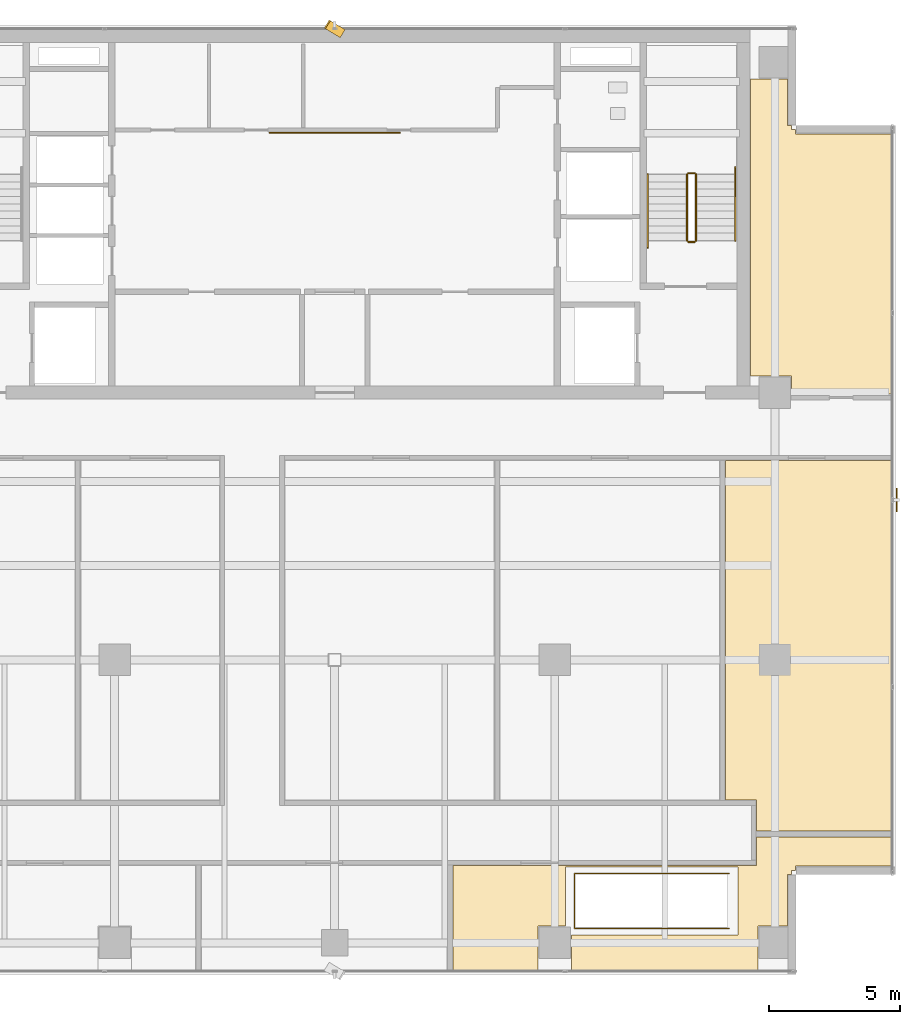
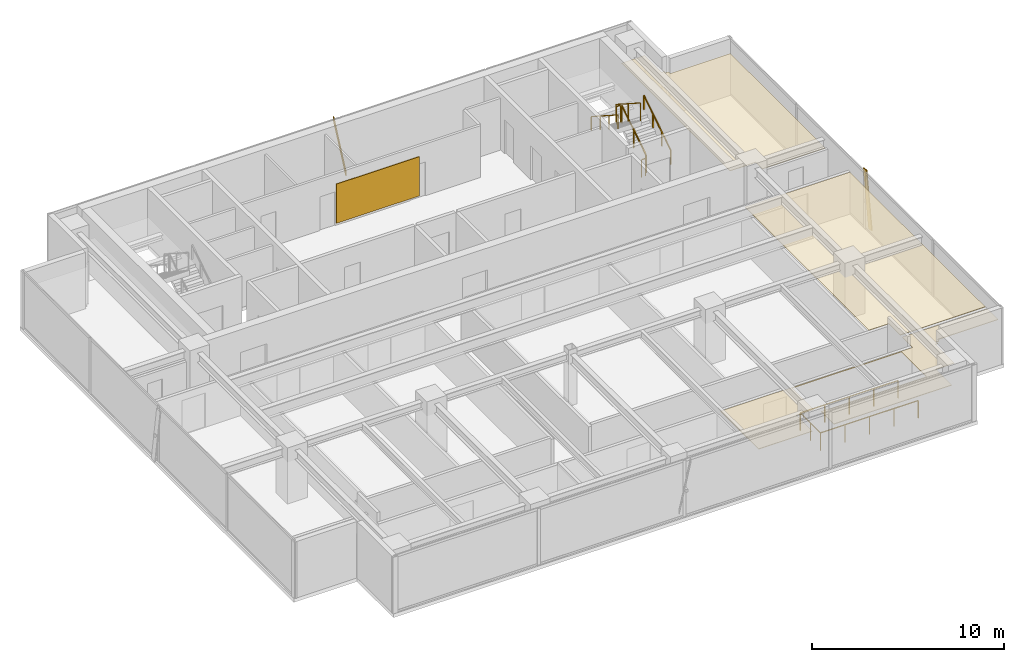
# One storey, part 20 of 21: 7 railings, 4 coverings, 2 shading devices.
"""IFC4 building model written with IfcOpenShell, lengths in metres."""

import ifcopenshell
import ifcopenshell.guid

model = None  # the IFC model being written
_history = None  # IfcOwnerHistory: only IFC2X3 demands one
_inside = {}  # id of a spatial element -> (the spatial element, [elements in it])
_under = {}  # id of a project, library or spatial element -> (it, [spatial elements below it])
_declared = {}  # id of a project -> (the project, [libraries it declares])
_typed = {}  # id of a type object -> (the type object, [elements of that type])
_made_of = {}  # id of a material, layer set ... -> (it, [elements and type objects made of it])


def new_model(schema):
    """Start an empty IFC model of exactly this schema.

    Asked for "IFC4X3", IfcOpenShell would pick the latest addendum, in which some entities
    have other attributes; the version numbers below select the first issue.
    IFC2X3 requires an IfcOwnerHistory on every rooted entity: one is made here for all.
    """
    global model, _history
    if schema == "IFC4X3":
        model = ifcopenshell.file(schema_version=(4, 3, 0, 0))
    else:
        model = ifcopenshell.file(schema=schema)
    _inside.clear()
    _under.clear()
    _declared.clear()
    _typed.clear()
    _made_of.clear()
    _history = None
    if model.schema == "IFC2X3":
        org = make("IfcOrganization", Name="unknown")
        user = make(
            "IfcPersonAndOrganization",
            ThePerson=make("IfcPerson", FamilyName="unknown"),
            TheOrganization=org,
        )
        app = make(
            "IfcApplication",
            ApplicationDeveloper=org,
            Version="unknown",
            ApplicationFullName="unknown",
            ApplicationIdentifier="unknown",
        )
        _history = make(
            "IfcOwnerHistory",
            OwningUser=user,
            OwningApplication=app,
            ChangeAction="ADDED",
            CreationDate=0,
        )
    return model


def make(cls, **values):
    """One entity of the class cls with the attributes given. An attribute that is None is left unset."""
    return model.create_entity(
        cls, **{name: value for name, value in values.items() if value is not None}
    )


def rooted(cls, **values):
    """An entity with a GlobalId (a new one), such as an element, a storey or a relation."""
    return make(cls, GlobalId=ifcopenshell.guid.new(), OwnerHistory=_history, **values)


def si_unit(unit_type, name, prefix=None):
    """IfcSIUnit, for example si_unit("LENGTHUNIT", "METRE", prefix="MILLI")."""
    return make("IfcSIUnit", UnitType=unit_type, Prefix=prefix, Name=name)


def assignment(units):
    """IfcUnitAssignment: the units of a project."""
    return None if units is None else make("IfcUnitAssignment", Units=units)


def point(xyz):
    """IfcCartesianPoint."""
    return None if xyz is None else make("IfcCartesianPoint", Coordinates=xyz)


def direction(xyz):
    """IfcDirection."""
    return None if xyz is None else make("IfcDirection", DirectionRatios=xyz)


def frame(location, z_axis=None, x_axis=None):
    """IfcAxis2Placement3D, a coordinate frame: its origin and axes. An axis left out is left unset."""
    return make(
        "IfcAxis2Placement3D",
        Location=point(location),
        Axis=direction(z_axis),
        RefDirection=direction(x_axis),
    )


def frame_2d(location, x_axis=None):
    """IfcAxis2Placement2D, a coordinate frame in the plane: its origin and x axis."""
    return make(
        "IfcAxis2Placement2D", Location=point(location), RefDirection=direction(x_axis)
    )


def origin():
    """The frame at (0, 0, 0) with its axes left unset."""
    return frame((0.0, 0.0, 0.0))


def origin_2d():
    """The frame at (0, 0) in the plane with its x axis left unset."""
    return frame_2d((0.0, 0.0))


def place(relative_to, where):
    """IfcLocalPlacement: puts the frame where relative to a parent placement (None: the world)."""
    return make(
        "IfcLocalPlacement", PlacementRelTo=relative_to, RelativePlacement=where
    )


def context(
    kind, dimensions, precision=None, world=None, true_north=None, identifier=None
):
    """IfcGeometricRepresentationContext, for example the 3D "Model" context."""
    return make(
        "IfcGeometricRepresentationContext",
        ContextIdentifier=identifier,
        ContextType=kind,
        CoordinateSpaceDimension=dimensions,
        Precision=precision,
        WorldCoordinateSystem=world,
        TrueNorth=true_north,
    )


def subcontext(parent, identifier, kind, view, scale=None):
    """IfcGeometricRepresentationSubContext, for example "Body" below "Model"."""
    return make(
        "IfcGeometricRepresentationSubContext",
        ContextIdentifier=identifier,
        ContextType=kind,
        ParentContext=parent,
        TargetScale=scale,
        TargetView=view,
    )


def project(units=None, contexts=None):
    """IfcProject with its units and contexts."""
    return rooted(
        "IfcProject",
        Name="project",
        RepresentationContexts=contexts,
        UnitsInContext=assignment(units),
    )


def spatial(cls, under=None, at=None, **own):
    """A site, building, storey or space (cls), placed at a placement, below another one or the project."""
    s = rooted(cls, ObjectPlacement=at, **own)
    if under is not None:
        _under.setdefault(under.id(), (under, []))[1].append(s)
    return s


def polyline(points):
    """IfcPolyline through the points."""
    return make("IfcPolyline", Points=[point(p) for p in points])


def profile(cls, at=None, kind="AREA", **sizes):
    """A parametric profile (cls). Its sizes go by their IFC names, for example OverallWidth=200.0."""
    return make(cls, ProfileType=kind, Position=at, **sizes)


def rectangle(**sizes):
    """IfcRectangleProfileDef."""
    return profile("IfcRectangleProfileDef", **sizes)


def outline(outer, holes=None, kind="AREA"):
    """IfcArbitraryClosedProfileDef: a profile drawn as a closed curve; with holes, ...WithVoids."""
    if holes is None:
        return make("IfcArbitraryClosedProfileDef", ProfileType=kind, OuterCurve=outer)
    return make(
        "IfcArbitraryProfileDefWithVoids",
        ProfileType=kind,
        OuterCurve=outer,
        InnerCurves=holes,
    )


def extrude(swept, where, along, depth):
    """IfcExtrudedAreaSolid: the profile swept, set in the frame where, extruded along a direction by depth."""
    return make(
        "IfcExtrudedAreaSolid",
        SweptArea=swept,
        Position=where,
        ExtrudedDirection=direction(along),
        Depth=depth,
    )


def shape(context_of_items, identifier, shape_type, items):
    """IfcShapeRepresentation: the items that make up one representation, for example the "Body"."""
    return make(
        "IfcShapeRepresentation",
        ContextOfItems=context_of_items,
        RepresentationIdentifier=identifier,
        RepresentationType=shape_type,
        Items=items,
    )


def source(mapping_origin, context_of_items, identifier, shape_type, items):
    """IfcRepresentationMap: a shape defined once, which mapped items show again and again."""
    return make(
        "IfcRepresentationMap",
        MappingOrigin=mapping_origin,
        MappedRepresentation=shape(context_of_items, identifier, shape_type, items),
    )


def transform(
    local_origin,
    x_axis=None,
    y_axis=None,
    z_axis=None,
    scale=None,
    scale2=None,
    scale3=None,
    uniform=True,
):
    """IfcCartesianTransformationOperator3D, or its non-uniform kind. x_axis, y_axis, z_axis: its Axis1, 2, 3."""
    if uniform:
        return make(
            "IfcCartesianTransformationOperator3D",
            Axis1=direction(x_axis),
            Axis2=direction(y_axis),
            LocalOrigin=point(local_origin),
            Scale=scale,
            Axis3=direction(z_axis),
        )
    return make(
        "IfcCartesianTransformationOperator3DnonUniform",
        Axis1=direction(x_axis),
        Axis2=direction(y_axis),
        LocalOrigin=point(local_origin),
        Scale=scale,
        Axis3=direction(z_axis),
        Scale2=scale2,
        Scale3=scale3,
    )


def mapped(mapping_source, mapping_target):
    """IfcMappedItem: shows the shape of a source again, moved by a transform."""
    return make(
        "IfcMappedItem", MappingSource=mapping_source, MappingTarget=mapping_target
    )


def material(Name=None, Category=None):
    """IfcMaterial."""
    return make("IfcMaterial", Name=Name, Category=Category)


def layer(
    of_material, thickness, ventilated=None, Name=None, Category=None, Priority=None
):
    """IfcMaterialLayer: one layer of a wall or slab, of a material (None: an air gap)."""
    return make(
        "IfcMaterialLayer",
        Material=of_material,
        LayerThickness=thickness,
        IsVentilated=ventilated,
        Name=Name,
        Category=Category,
        Priority=Priority,
    )


def layer_set(layers, Name=None):
    """IfcMaterialLayerSet."""
    return make("IfcMaterialLayerSet", MaterialLayers=layers, LayerSetName=Name)


def material_profile(
    of_material, cross_section, Name=None, Category=None, Priority=None
):
    """IfcMaterialProfile: a cross section and its material."""
    return make(
        "IfcMaterialProfile",
        Name=Name,
        Material=of_material,
        Profile=cross_section,
        Priority=Priority,
        Category=Category,
    )


def profile_set(profiles, Name=None, composite=None):
    """IfcMaterialProfileSet."""
    return make(
        "IfcMaterialProfileSet",
        Name=Name,
        MaterialProfiles=profiles,
        CompositeProfile=composite,
    )


def made_of(thing, what):
    """Note that an element or type object is made of a material, layer set ...; save() writes the relation."""
    if what is not None:
        _made_of.setdefault(what.id(), (what, []))[1].append(thing)
    return thing


def type_object(cls, material=None, **own):
    """A type object (cls), such as IfcWallType, which elements share."""
    return made_of(rooted(cls, **own), material)


def element(
    cls,
    number,
    at=None,
    inside=None,
    cuts=None,
    type_object=None,
    material=None,
    context=None,
    identifier="Body",
    shape_type=None,
    held_by="IfcProductDefinitionShape",
    body=None,
    shapes=None,
    **own,
):
    """One element of the class cls, such as IfcWall. Its Tag is "e" and its number.

    at: its placement. inside: the storey or other place that contains it. cuts: it is an
    opening in that element (IfcRelVoidsElement). A single representation is given by context,
    identifier, shape_type and body (its items); several are given by shapes. held_by: the class
    of the entity that holds the representations. save() writes the other relations.
    """
    e = rooted(cls, Tag="e%d" % number, ObjectPlacement=at, **own)
    if body is not None:
        shapes = [shape(context, identifier, shape_type, body)]
    if shapes is not None:
        e.Representation = make(held_by, Representations=shapes)
    if inside is not None:
        _inside.setdefault(inside.id(), (inside, []))[1].append(e)
    if cuts is not None:
        rooted(
            "IfcRelVoidsElement", RelatingBuildingElement=cuts, RelatedOpeningElement=e
        )
    if type_object is not None:
        _typed.setdefault(type_object.id(), (type_object, []))[1].append(e)
    return made_of(e, material)


def aggregate(whole, parts):
    """IfcRelAggregates: a whole, such as a stair, and the parts it consists of."""
    return rooted("IfcRelAggregates", RelatingObject=whole, RelatedObjects=parts)


def save(model, path):
    """Write the relations noted so far, then the file.

    IfcRelAggregates (storeys below a building ...), IfcRelContainedInSpatialStructure (elements
    in a storey), IfcRelDefinesByType, IfcRelAssociatesMaterial and IfcRelDeclares: one each for
    every whole, place, type object, material and project.
    """
    for whole, parts in _under.values():
        aggregate(whole, parts)
    for where, things in _inside.values():
        rooted(
            "IfcRelContainedInSpatialStructure",
            RelatedElements=things,
            RelatingStructure=where,
        )
    for kind, things in _typed.values():
        rooted("IfcRelDefinesByType", RelatedObjects=things, RelatingType=kind)
    for what, things in _made_of.values():
        rooted("IfcRelAssociatesMaterial", RelatedObjects=things, RelatingMaterial=what)
    for by, libraries in _declared.values():
        rooted("IfcRelDeclares", RelatingContext=by, RelatedDefinitions=libraries)
    model.write(path)


model = new_model("IFC4")

# Units and contexts
model_context = context("Model", 3, precision=1e-05, world=origin(), true_north=direction((0.0, 1.0)))
body_context = subcontext(model_context, "Body", "Model", "MODEL_VIEW")
ifc_project = project(units=[si_unit("LENGTHUNIT", "METRE"), si_unit("AREAUNIT", "SQUARE_METRE"), si_unit("VOLUMEUNIT", "CUBIC_METRE"), si_unit("PLANEANGLEUNIT", "RADIAN"), si_unit("MASSUNIT", "GRAM", prefix="KILO")], contexts=[model_context])

# Site, building, storey
site_placement = place(None, origin())
site = spatial("IfcSite", under=ifc_project, at=site_placement, CompositionType="ELEMENT")
building_placement = place(site_placement, origin())
building = spatial("IfcBuilding", under=site, at=building_placement, Name="Sumidabori Civic Tower", CompositionType="ELEMENT")
storey_placement = place(building_placement, frame((0.0, 0.0, 290.0)))
storey = spatial("IfcBuildingStorey", under=building, at=storey_placement, Name="L76", CompositionType="ELEMENT", Elevation=290.0)

# Coverings
ifc_material_1 = material(Name="Acoustic Mineral Gypsum Ceiling Tile")
ifc_layer_1 = layer(ifc_material_1, 0.034912109375, Name="Acoustic Mineral Gypsum Ceiling Tile")
ifc_layer_set_1 = layer_set([ifc_layer_1], Name="Acoustic Mineral Gypsum Ceiling Tile")
covering_type_1 = type_object("IfcCoveringType", Name="CV-CEIL-AC1", PredefinedType="CEILING", material=ifc_layer_set_1)
covering_1_placement = place(storey_placement, frame((0.0, 0.0, 2.64990234375)))
element("IfcCovering", 1, at=covering_1_placement, inside=storey, type_object=covering_type_1, Name="Room Acoustic Ceiling L76-02", PredefinedType="CEILING", context=body_context, shape_type="SweptSolid", body=[
    extrude(outline(polyline([(15.8779296875, 22.159912109375), (17.27197265625, 22.159912109375), (17.27197265625, 20.39208984375), (17.429931640625, 20.39208984375), (17.429931640625, 20.22998046875), (17.592041015625, 20.22998046875), (17.592041015625, 20.072021484375), (21.22998046875, 20.072021484375), (21.22998046875, 10.14990234375), (17.43994140625, 10.14990234375), (17.43994140625, 10.840087890625), (15.8779296875, 10.840087890625), (15.8779296875, 22.159912109375)])), origin(), (0.0, 0.0, 1.0), 0.03515625),
])
covering_2_placement = place(storey_placement, frame((0.0, 0.0, 2.64990234375)))
element("IfcCovering", 2, at=covering_2_placement, inside=storey, type_object=covering_type_1, Name="Room Acoustic Ceiling L76-08", PredefinedType="CEILING", context=body_context, shape_type="SweptSolid", body=[
    extrude(outline(polyline([(16.10009765625, -5.35009765625), (14.909912109375, -5.35009765625), (14.909912109375, 7.60009765625), (21.22998046875, 7.60009765625), (21.22998046875, -6.5400390625), (16.10009765625, -6.5400390625), (16.10009765625, -5.35009765625)])), origin(), (0.0, 0.0, 1.0), 0.03515625),
])
covering_3_placement = place(storey_placement, frame((0.0, 0.0, 2.64990234375)))
element("IfcCovering", 3, at=covering_3_placement, inside=storey, type_object=covering_type_1, Name="Room Acoustic Ceiling L76-10", PredefinedType="CEILING", context=body_context, shape_type="SweptSolid", body=[
    extrude(outline(polyline([(21.22998046875, -6.760009765625), (21.22998046875, -7.8720703125), (17.592041015625, -7.8720703125), (17.592041015625, -8.030029296875), (17.429931640625, -8.030029296875), (17.429931640625, -8.19189453125), (17.27197265625, -8.19189453125), (17.27197265625, -10.159912109375), (16.159912109375, -10.159912109375), (16.159912109375, -11.830078125), (9.0400390625, -11.830078125), (9.0400390625, -10.5), (15.39990234375, -10.5), (15.39990234375, -7.89990234375), (8.800048828125, -7.89990234375), (8.800048828125, -10.159912109375), (7.760009765625, -10.159912109375), (7.760009765625, -11.830078125), (4.510009765625, -11.830078125), (4.510009765625, -7.85009765625), (16.10009765625, -7.85009765625), (16.10009765625, -6.760009765625), (21.22998046875, -6.760009765625)])), origin(), (0.0, 0.0, 1.0), 0.03515625),
])

# Railings
ifc_material_2 = material(Name="Stainless Steel Hairline Finish", Category="steel")
railing_type_1 = type_object("IfcRailingType", Name="RL-HANDRAIL", PredefinedType="HANDRAIL", material=ifc_material_2)
railing_1_placement = place(storey_placement, frame((15.2900390625, 16.0, 0.179931640625)))
element("IfcRailing", 4, at=railing_1_placement, inside=storey, type_object=railing_type_1, Name="L76 ST-2 stair handrail 1", PredefinedType="HANDRAIL", context=body_context, shape_type="SweptSolid", body=[
    extrude(rectangle(XDim=0.048095703125, YDim=0.048095703125, at=origin_2d()), frame((0.0, 0.0, 0.8759765625), z_axis=(0.0, 0.84064222762, 0.54159084662), x_axis=(-1.0, 0.0, 0.0)), (0.0, 0.0, 1.0), 3.330810546875),
    extrude(rectangle(XDim=0.0419921875, YDim=0.0419921875, at=origin_2d()), origin(), (0.0, 0.0, 1.0), 0.851806640625),
    extrude(rectangle(XDim=0.0419921875, YDim=0.0419921875, at=origin_2d()), frame((0.0, 0.933349609375, 0.601318359375)), (0.0, 0.0, 1.0), 0.851806640625),
    extrude(rectangle(XDim=0.0419921875, YDim=0.0419921875, at=origin_2d()), frame((0.0, 1.86669921875, 1.20263671875)), (0.0, 0.0, 1.0), 0.851806640625),
    extrude(rectangle(XDim=0.0419921875, YDim=0.0419921875, at=origin_2d()), frame((0.0, 2.800048828125, 1.803955078125)), (0.0, 0.0, 1.0), 0.851806640625),
])
railing_2_placement = place(storey_placement, frame((11.949951171875, 18.52001953125, 1.97998046875)))
element("IfcRailing", 5, at=railing_2_placement, inside=storey, type_object=railing_type_1, Name="L76 ST-2 stair handrail 2", PredefinedType="HANDRAIL", context=body_context, shape_type="SweptSolid", body=[
    extrude(rectangle(XDim=0.048095703125, YDim=0.048095703125, at=origin_2d()), frame((0.0, 0.0, 0.8759765625), z_axis=(0.0, -0.840675598268, 0.541539046124), x_axis=(1.0, 0.0, 0.0)), (0.0, 0.0, 1.0), 3.330810546875),
    extrude(rectangle(XDim=0.0419921875, YDim=0.0419921875, at=origin_2d()), origin(), (0.0, 0.0, 1.0), 0.851806640625),
    extrude(rectangle(XDim=0.0419921875, YDim=0.0419921875, at=origin_2d()), frame((0.0, -0.933349609375, 0.601318359375)), (0.0, 0.0, 1.0), 0.851806640625),
    extrude(rectangle(XDim=0.0419921875, YDim=0.0419921875, at=origin_2d()), frame((0.0, -1.86669921875, 1.202392578125)), (0.0, 0.0, 1.0), 0.851806640625),
    extrude(rectangle(XDim=0.0419921875, YDim=0.0419921875, at=origin_2d()), frame((0.0, -2.800048828125, 1.8037109375)), (0.0, 0.0, 1.0), 0.851806640625),
])
ifc_material_3 = material(Name="Steel SN490", Category="steel")
railing_type_2 = type_object("IfcRailingType", Name="RL-STAIR-GUARD", PredefinedType="GUARDRAIL", material=ifc_material_3)
railing_3_placement = place(storey_placement, frame((13.7900390625, 16.0, 0.179931640625)))
element("IfcRailing", 6, at=railing_3_placement, inside=storey, type_object=railing_type_2, Name="L76 ST-2 stair guard 1", PredefinedType="GUARDRAIL", context=body_context, shape_type="SweptSolid", body=[
    extrude(rectangle(XDim=0.048095703125, YDim=0.048095703125, at=origin_2d()), frame((0.0, 0.0, 1.1259765625), z_axis=(0.0, 0.841162588446, 0.540782303519), x_axis=(-1.0, 0.0, 0.0)), (0.0, 0.0, 1.0), 2.995849609375),
    extrude(rectangle(XDim=0.0419921875, YDim=0.0419921875, at=origin_2d()), origin(), (0.0, 0.0, 1.0), 1.101806640625),
    extrude(rectangle(XDim=0.0419921875, YDim=0.0419921875, at=origin_2d()), frame((0.0, 1.260009765625, 0.81005859375)), (0.0, 0.0, 1.0), 1.101806640625),
    extrude(rectangle(XDim=0.0419921875, YDim=0.0419921875, at=origin_2d()), frame((0.0, 2.52001953125, 1.6201171875)), (0.0, 0.0, 1.0), 1.101806640625),
])
railing_4_placement = place(storey_placement, frame((13.739990234375, 18.570068359375, 1.800048828125)))
element("IfcRailing", 7, at=railing_4_placement, inside=storey, type_object=railing_type_2, Name="L76 ST-2 stair guard 2", PredefinedType="GUARDRAIL", context=body_context, shape_type="SweptSolid", body=[
    extrude(rectangle(XDim=0.048095703125, YDim=0.048095703125, at=origin_2d()), frame((0.0, 0.0, 1.1259765625), z_axis=(-1.0, 0.0, 0.0), x_axis=(0.0, -1.0, 0.0)), (0.0, 0.0, 1.0), 0.239990234375),
    extrude(rectangle(XDim=0.0419921875, YDim=0.0419921875, at=origin_2d()), origin(), (0.0, 0.0, 1.0), 1.101806640625),
    extrude(rectangle(XDim=0.0419921875, YDim=0.0419921875, at=origin_2d()), frame((-0.239990234375, 0.0, 0.0)), (0.0, 0.0, 1.0), 1.101806640625),
])
railing_5_placement = place(storey_placement, frame((13.449951171875, 18.52001953125, 1.97998046875)))
element("IfcRailing", 8, at=railing_5_placement, inside=storey, type_object=railing_type_2, Name="L76 ST-2 stair guard 3", PredefinedType="GUARDRAIL", context=body_context, shape_type="SweptSolid", body=[
    extrude(rectangle(XDim=0.048095703125, YDim=0.048095703125, at=origin_2d()), frame((0.0, 0.0, 1.1259765625), z_axis=(0.0, -0.841162588446, 0.540782303519), x_axis=(1.0, 0.0, 0.0)), (0.0, 0.0, 1.0), 2.995849609375),
    extrude(rectangle(XDim=0.0419921875, YDim=0.0419921875, at=origin_2d()), origin(), (0.0, 0.0, 1.0), 1.101806640625),
    extrude(rectangle(XDim=0.0419921875, YDim=0.0419921875, at=origin_2d()), frame((0.0, -1.260009765625, 0.81005859375)), (0.0, 0.0, 1.0), 1.101806640625),
    extrude(rectangle(XDim=0.0419921875, YDim=0.0419921875, at=origin_2d()), frame((0.0, -2.52001953125, 1.6201171875)), (0.0, 0.0, 1.0), 1.101806640625),
])
railing_6_placement = place(storey_placement, frame((13.739990234375, 15.949951171875, 0.0)))
element("IfcRailing", 9, at=railing_6_placement, inside=storey, type_object=railing_type_2, Name="L76 ST-2 stair guard 4", PredefinedType="GUARDRAIL", context=body_context, shape_type="SweptSolid", body=[
    extrude(rectangle(XDim=0.048095703125, YDim=0.048095703125, at=origin_2d()), frame((0.0, 0.0, 1.1259765625), z_axis=(-1.0, 0.0, 0.0), x_axis=(0.0, -1.0, 0.0)), (0.0, 0.0, 1.0), 0.239990234375),
    extrude(rectangle(XDim=0.0419921875, YDim=0.0419921875, at=origin_2d()), origin(), (0.0, 0.0, 1.0), 1.101806640625),
    extrude(rectangle(XDim=0.0419921875, YDim=0.0419921875, at=origin_2d()), frame((-0.239990234375, 0.0, 0.0)), (0.0, 0.0, 1.0), 1.101806640625),
])
railing_7_placement = place(storey_placement, frame((15.050048828125, -10.25, 0.0)))
element("IfcRailing", 10, at=railing_7_placement, inside=storey, type_object=railing_type_2, Name="Observation Duplex Stairwell Guard L76", PredefinedType="GUARDRAIL", context=body_context, shape_type="SweptSolid", body=[
    extrude(rectangle(XDim=0.048095703125, YDim=0.048095703125, at=origin_2d()), frame((0.0, 0.0, 1.1259765625), z_axis=(-1.0, 0.0, 0.0), x_axis=(0.0, -1.0, 0.0)), (0.0, 0.0, 1.0), 5.900146484375),
    extrude(rectangle(XDim=0.048095703125, YDim=0.048095703125, at=origin_2d()), frame((-5.900146484375, 0.0, 1.1259765625), z_axis=(0.0, 1.0, 0.0), x_axis=(-1.0, 0.0, 0.0)), (0.0, 0.0, 1.0), 2.10009765625),
    extrude(rectangle(XDim=0.048095703125, YDim=0.048095703125, at=origin_2d()), frame((-5.900146484375, 2.10009765625, 1.1259765625), z_axis=(1.0, 0.0, 0.0), x_axis=(0.0, 1.0, 0.0)), (0.0, 0.0, 1.0), 5.900146484375),
    extrude(rectangle(XDim=0.0419921875, YDim=0.0419921875, at=origin_2d()), origin(), (0.0, 0.0, 1.0), 1.101806640625),
    extrude(rectangle(XDim=0.0419921875, YDim=0.0419921875, at=origin_2d()), frame((-1.47509765625, 0.0, 0.0)), (0.0, 0.0, 1.0), 1.101806640625),
    extrude(rectangle(XDim=0.0419921875, YDim=0.0419921875, at=origin_2d()), frame((-2.9501953125, 0.0, 0.0)), (0.0, 0.0, 1.0), 1.101806640625),
    extrude(rectangle(XDim=0.0419921875, YDim=0.0419921875, at=origin_2d()), frame((-4.425048828125, 0.0, 0.0)), (0.0, 0.0, 1.0), 1.101806640625),
    extrude(rectangle(XDim=0.0419921875, YDim=0.0419921875, at=origin_2d()), frame((-5.900146484375, 0.0, 0.0)), (0.0, 0.0, 1.0), 1.101806640625),
    extrude(rectangle(XDim=0.0419921875, YDim=0.0419921875, at=origin_2d()), frame((-5.900146484375, 1.050048828125, 0.0)), (0.0, 0.0, 1.0), 1.101806640625),
    extrude(rectangle(XDim=0.0419921875, YDim=0.0419921875, at=origin_2d()), frame((-5.900146484375, 2.10009765625, 0.0)), (0.0, 0.0, 1.0), 1.101806640625),
    extrude(rectangle(XDim=0.0419921875, YDim=0.0419921875, at=origin_2d()), frame((-4.425048828125, 2.10009765625, 0.0)), (0.0, 0.0, 1.0), 1.101806640625),
    extrude(rectangle(XDim=0.0419921875, YDim=0.0419921875, at=origin_2d()), frame((-2.9501953125, 2.10009765625, 0.0)), (0.0, 0.0, 1.0), 1.101806640625),
    extrude(rectangle(XDim=0.0419921875, YDim=0.0419921875, at=origin_2d()), frame((-1.47509765625, 2.10009765625, 0.0)), (0.0, 0.0, 1.0), 1.101806640625),
    extrude(rectangle(XDim=0.0419921875, YDim=0.0419921875, at=origin_2d()), frame((0.0, 2.10009765625, 0.0)), (0.0, 0.0, 1.0), 1.101806640625),
])

# Shading devices
ifc_material_4 = material(Name="Anodised Bronze Aluminium AW-6063-T6", Category="aluminium")
ifc_material_profile = material_profile(ifc_material_4, rectangle(XDim=0.054931640625, YDim=0.360107421875, at=origin_2d()), Name="BRONZE FIN 360x55")
ifc_profile_set = profile_set([ifc_material_profile], Name="Anodised Bronze Aluminium AW-6063-T6")
shading_device_type = type_object("IfcShadingDeviceType", Name="SH-FIN-360", PredefinedType="USERDEFINED", material=ifc_profile_set)
shared_shape_1 = source(origin(), body_context, "Body", "SweptSolid", [
    extrude(rectangle(XDim=0.054931640625, YDim=0.360107421875, at=origin_2d()), origin(), (0.0, 0.0, 1.0), 3.60009765625),
])
shading_device_1_placement = place(storey_placement, frame((0.280029296875, 23.909912109375, 0.02001953125), z_axis=(-0.155564617901, 0.094464478089, 0.983298587427), x_axis=(0.840476525983, -0.510367829422, 0.181999692206)))
element("IfcShadingDevice", 11, at=shading_device_1_placement, inside=storey, type_object=shading_device_type, Name="Bronze Anodised Diagonal Fin L76-02", ObjectType="FIN", PredefinedType="USERDEFINED", context=body_context, shape_type="MappedRepresentation", body=[
    mapped(shared_shape_1, transform((0.0, 0.0, 0.0), x_axis=(1.0, 0.0, 0.0), y_axis=(0.0, 1.0, 0.0), z_axis=(0.0, 0.0, 1.0), scale=1.0)),
])
shared_shape_2 = source(origin(), body_context, "Body", "SweptSolid", [
    extrude(rectangle(XDim=0.054931640625, YDim=0.360107421875, at=origin_2d()), origin(), (0.0, 0.0, 1.0), 3.583984375),
])
shading_device_2_placement = place(storey_placement, frame((21.449951171875, 5.820068359375, 0.02001953125), z_axis=(0.0, 0.156196935367, 0.987725932322), x_axis=(-1.0, 0.0, 0.0)))
element("IfcShadingDevice", 12, at=shading_device_2_placement, inside=storey, type_object=shading_device_type, Name="Bronze Anodised Diagonal Fin L76-02", ObjectType="FIN", PredefinedType="USERDEFINED", context=body_context, shape_type="MappedRepresentation", body=[
    mapped(shared_shape_2, transform((0.0, 0.0, 0.0), x_axis=(1.0, 0.0, 0.0), y_axis=(0.0, 1.0, 0.0), z_axis=(0.0, 0.0, 1.0), scale=1.0)),
])

# Covering
ifc_material_5 = material(Name="Anodised Bronze Aluminium Core Cladding", Category="aluminium")
ifc_layer_2 = layer(ifc_material_5, 0.0400390625, Name="Anodised Bronze Aluminium Core Cladding")
ifc_layer_set_2 = layer_set([ifc_layer_2], Name="Anodised Bronze Aluminium Core Cladding")
covering_type_2 = type_object("IfcCoveringType", Name="CV-CLAD-BRZ", PredefinedType="CLADDING", material=ifc_layer_set_2)
shared_shape_3 = source(origin(), body_context, "Body", "SweptSolid", [
    extrude(rectangle(XDim=5.0, YDim=0.0400390625, at=origin_2d()), origin(), (0.0, 0.0, 1.0), 2.5),
])
covering_4_placement = place(storey_placement, frame((0.0, 20.1201171875, 0.14990234375), z_axis=(0.0, 0.0, 1.0), x_axis=(1.0, 0.0, 0.0)))
element("IfcCovering", 13, at=covering_4_placement, inside=storey, type_object=covering_type_2, Name="Bronze Core Lobby Feature Cladding L76", PredefinedType="CLADDING", context=body_context, shape_type="MappedRepresentation", body=[
    mapped(shared_shape_3, transform((0.0, 0.0, 0.0), x_axis=(1.0, 0.0, 0.0), y_axis=(0.0, 1.0, 0.0), z_axis=(0.0, 0.0, 1.0), scale=1.0)),
])

save(model, "model.ifc")
